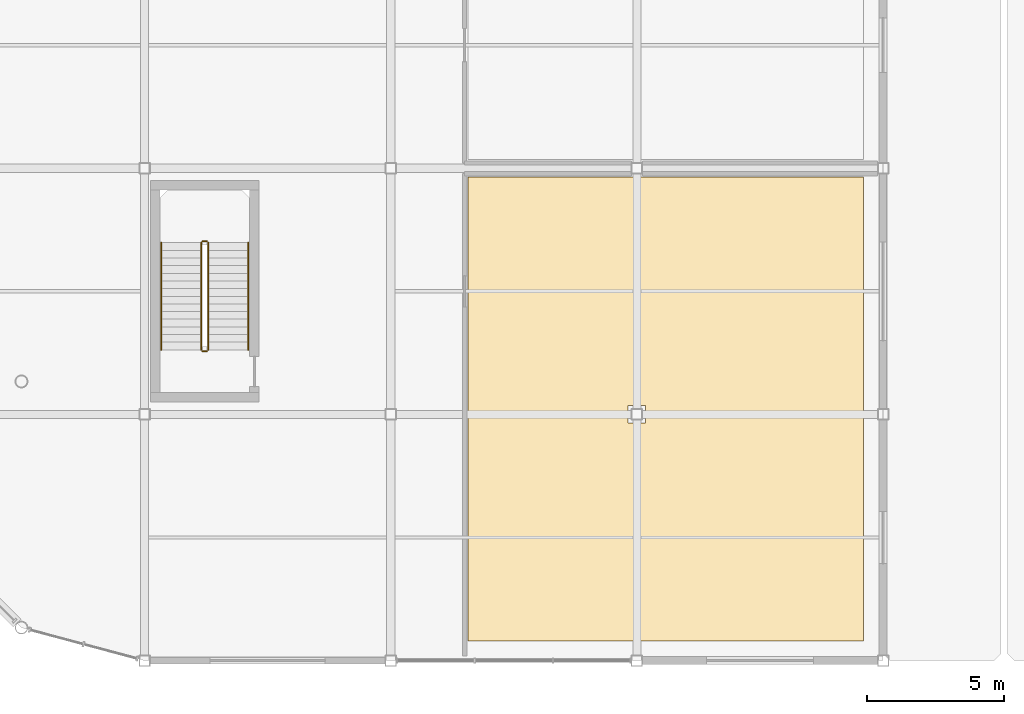
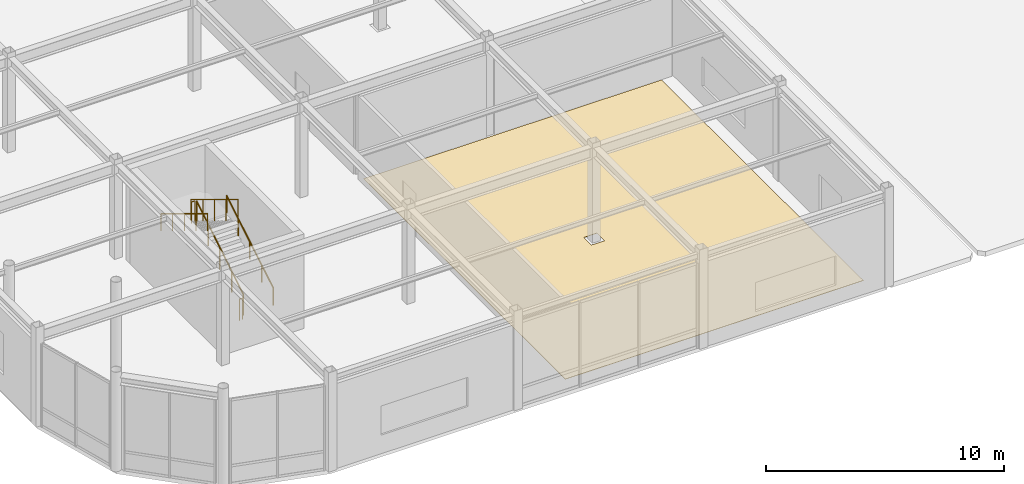
# One storey, part 106 of 123: 6 railings, 1 covering.
"""IFC4 building model written with IfcOpenShell, lengths in metres."""

from ifc_helpers import new_model, si_unit, direction, frame, origin, origin_2d, place, context, subcontext, project, spatial, polyline, circle, outline, extrude, material, layer, layer_set, type_object, element, save


model = new_model("IFC4")

# Units and contexts
model_context = context("Model", 3, precision=1e-05, world=origin(), true_north=direction((0.0, 1.0)))
body_context = subcontext(model_context, "Body", "Model", "MODEL_VIEW")
ifc_project = project(units=[si_unit("LENGTHUNIT", "METRE"), si_unit("AREAUNIT", "SQUARE_METRE"), si_unit("VOLUMEUNIT", "CUBIC_METRE"), si_unit("PLANEANGLEUNIT", "RADIAN"), si_unit("MASSUNIT", "GRAM", prefix="KILO")], contexts=[model_context])

# Site, building, storey
site_placement = place(None, origin())
site = spatial("IfcSite", under=ifc_project, at=site_placement, CompositionType="ELEMENT")
building_placement = place(site_placement, origin())
building = spatial("IfcBuilding", under=site, at=building_placement, Name="Suzunagisa Mobility Hub", CompositionType="ELEMENT")
storey_placement = place(building_placement, origin())
storey = spatial("IfcBuildingStorey", under=building, at=storey_placement, Name="L00", CompositionType="ELEMENT", Elevation=0.0)

# Railings
ifc_material_1 = material(Name="Stainless Steel SUS304", Category="metal")
railing_type_1 = type_object("IfcRailingType", Name="Interior Well Guardrail IGR-01", PredefinedType="GUARDRAIL", material=ifc_material_1)
railing_1_placement = place(storey_placement, frame((11.330078125, 11.360107421875, 0.169921875)))
element("IfcRailing", 1, at=railing_1_placement, inside=storey, type_object=railing_type_1, Name="L00 ST-02 stair guard 1", PredefinedType="GUARDRAIL", context=body_context, shape_type="SweptSolid", body=[
    extrude(circle(Radius=0.02392578125, at=origin_2d()), frame((0.0, 0.0, 1.09619140625), z_axis=(0.0, 0.854770645689, 0.519005918337), x_axis=(-1.0, 0.0, 0.0)), (0.0, 0.0, 1.0), 4.5859375),
    extrude(circle(Radius=0.02099609375, at=origin_2d()), origin(), (0.0, 0.0, 1.0), 1.072021484375),
    extrude(circle(Radius=0.02099609375, at=origin_2d()), frame((0.0, 0.97998046875, 0.594970703125)), (0.0, 0.0, 1.0), 1.072021484375),
    extrude(circle(Radius=0.02099609375, at=origin_2d()), frame((0.0, 1.9599609375, 1.18994140625)), (0.0, 0.0, 1.0), 1.072021484375),
    extrude(circle(Radius=0.02099609375, at=origin_2d()), frame((0.0, 2.93994140625, 1.78515625)), (0.0, 0.0, 1.0), 1.072021484375),
    extrude(circle(Radius=0.02099609375, at=origin_2d()), frame((0.0, 3.919921875, 2.380126953125)), (0.0, 0.0, 1.0), 1.072021484375),
])
railing_2_placement = place(storey_placement, frame((11.280029296875, 15.330078125, 2.550048828125)))
element("IfcRailing", 2, at=railing_2_placement, inside=storey, type_object=railing_type_1, Name="L00 ST-02 stair guard 2", PredefinedType="GUARDRAIL", context=body_context, shape_type="SweptSolid", body=[
    extrude(circle(Radius=0.02392578125, at=origin_2d()), frame((0.0, 0.0, 1.09619140625), z_axis=(-1.0, 0.0, 0.0), x_axis=(0.0, -1.0, 0.0)), (0.0, 0.0, 1.0), 0.159912109375),
    extrude(circle(Radius=0.02099609375, at=origin_2d()), origin(), (0.0, 0.0, 1.0), 1.072021484375),
    extrude(circle(Radius=0.02099609375, at=origin_2d()), frame((-0.159912109375, 0.0, 0.0)), (0.0, 0.0, 1.0), 1.072021484375),
])
railing_3_placement = place(storey_placement, frame((11.070068359375, 15.280029296875, 2.719970703125)))
element("IfcRailing", 3, at=railing_3_placement, inside=storey, type_object=railing_type_1, Name="L00 ST-02 stair guard 3", PredefinedType="GUARDRAIL", context=body_context, shape_type="SweptSolid", body=[
    extrude(circle(Radius=0.02392578125, at=origin_2d()), frame((0.0, 0.0, 1.09619140625), z_axis=(0.0, -0.854770645689, 0.519005918337), x_axis=(1.0, 0.0, 0.0)), (0.0, 0.0, 1.0), 4.5859375),
    extrude(circle(Radius=0.02099609375, at=origin_2d()), origin(), (0.0, 0.0, 1.0), 1.072021484375),
    extrude(circle(Radius=0.02099609375, at=origin_2d()), frame((0.0, -0.97998046875, 0.594970703125)), (0.0, 0.0, 1.0), 1.072021484375),
    extrude(circle(Radius=0.02099609375, at=origin_2d()), frame((0.0, -1.9599609375, 1.18994140625)), (0.0, 0.0, 1.0), 1.072021484375),
    extrude(circle(Radius=0.02099609375, at=origin_2d()), frame((0.0, -2.93994140625, 1.78515625)), (0.0, 0.0, 1.0), 1.072021484375),
    extrude(circle(Radius=0.02099609375, at=origin_2d()), frame((0.0, -3.919921875, 2.380126953125)), (0.0, 0.0, 1.0), 1.072021484375),
])
railing_4_placement = place(storey_placement, frame((11.280029296875, 11.31005859375, 0.0)))
element("IfcRailing", 4, at=railing_4_placement, inside=storey, type_object=railing_type_1, Name="L00 ST-02 stair guard 4", PredefinedType="GUARDRAIL", context=body_context, shape_type="SweptSolid", body=[
    extrude(circle(Radius=0.02392578125, at=origin_2d()), frame((0.0, 0.0, 1.09619140625), z_axis=(-1.0, 0.0, 0.0), x_axis=(0.0, -1.0, 0.0)), (0.0, 0.0, 1.0), 0.159912109375),
    extrude(circle(Radius=0.02099609375, at=origin_2d()), origin(), (0.0, 0.0, 1.0), 1.072021484375),
    extrude(circle(Radius=0.02099609375, at=origin_2d()), frame((-0.159912109375, 0.0, 0.0)), (0.0, 0.0, 1.0), 1.072021484375),
])

# Covering
ifc_material_2 = material(Name="Polished Aggregate Terrazzo Finish")
ifc_layer = layer(ifc_material_2, 0.02001953125)
ifc_layer_set = layer_set([ifc_layer], Name="Polished Aggregate Terrazzo Finish")
covering_type = type_object("IfcCoveringType", Name="Polished Terrazzo Heavy-Traffic Flooring FLR-01", PredefinedType="FLOORING", material=ifc_layer_set)
covering_placement = place(storey_placement, origin())
element("IfcCovering", 5, at=covering_placement, inside=storey, type_object=covering_type, Name="L00 Suzunagisa Streamline Prow Travel Cafe Terrazzo Flooring", PredefinedType="FLOORING", context=body_context, shape_type="SweptSolid", body=[
    extrude(outline(polyline([(20.820068359375, 17.679931640625), (26.679931640625, 17.679931640625), (27.320068359375, 17.679931640625), (35.280029296875, 17.679931640625), (35.280029296875, 0.719970703125), (20.820068359375, 0.719970703125), (20.820068359375, 17.679931640625)]), holes=[polyline([(27.320068359375, 9.320068359375), (26.679931640625, 9.320068359375), (26.679931640625, 8.679931640625), (27.320068359375, 8.679931640625), (27.320068359375, 9.320068359375)])]), origin(), (0.0, 0.0, 1.0), 0.02001953125),
])

# Railings
railing_type_2 = type_object("IfcRailingType", Name="Tubular Stainless Stair Handrail IHR-01", PredefinedType="HANDRAIL", material=ifc_material_1)
railing_5_placement = place(storey_placement, frame((12.7900390625, 11.360107421875, 0.169921875)))
element("IfcRailing", 6, at=railing_5_placement, inside=storey, type_object=railing_type_2, Name="L00 ST-02 stair handrail 1", PredefinedType="HANDRAIL", context=body_context, shape_type="SweptSolid", body=[
    extrude(circle(Radius=0.02392578125, at=origin_2d()), frame((0.0, 0.0, 0.8759765625), z_axis=(0.0, 0.854770645689, 0.519005918337), x_axis=(-1.0, 0.0, 0.0)), (0.0, 0.0, 1.0), 4.5859375),
    extrude(circle(Radius=0.02099609375, at=origin_2d()), origin(), (0.0, 0.0, 1.0), 0.851806640625),
    extrude(circle(Radius=0.02099609375, at=origin_2d()), frame((0.0, 0.97998046875, 0.594970703125)), (0.0, 0.0, 1.0), 0.851806640625),
    extrude(circle(Radius=0.02099609375, at=origin_2d()), frame((0.0, 1.9599609375, 1.18994140625)), (0.0, 0.0, 1.0), 0.851806640625),
    extrude(circle(Radius=0.02099609375, at=origin_2d()), frame((0.0, 2.93994140625, 1.78515625)), (0.0, 0.0, 1.0), 0.851806640625),
    extrude(circle(Radius=0.02099609375, at=origin_2d()), frame((0.0, 3.919921875, 2.380126953125)), (0.0, 0.0, 1.0), 0.851806640625),
])
railing_6_placement = place(storey_placement, frame((9.610107421875, 15.280029296875, 2.719970703125)))
element("IfcRailing", 7, at=railing_6_placement, inside=storey, type_object=railing_type_2, Name="L00 ST-02 stair handrail 2", PredefinedType="HANDRAIL", context=body_context, shape_type="SweptSolid", body=[
    extrude(circle(Radius=0.02392578125, at=origin_2d()), frame((0.0, 0.0, 0.8759765625), z_axis=(0.0, -0.854770645689, 0.519005918337), x_axis=(1.0, 0.0, 0.0)), (0.0, 0.0, 1.0), 4.5859375),
    extrude(circle(Radius=0.02099609375, at=origin_2d()), origin(), (0.0, 0.0, 1.0), 0.851806640625),
    extrude(circle(Radius=0.02099609375, at=origin_2d()), frame((0.0, -0.97998046875, 0.594970703125)), (0.0, 0.0, 1.0), 0.851806640625),
    extrude(circle(Radius=0.02099609375, at=origin_2d()), frame((0.0, -1.9599609375, 1.18994140625)), (0.0, 0.0, 1.0), 0.851806640625),
    extrude(circle(Radius=0.02099609375, at=origin_2d()), frame((0.0, -2.93994140625, 1.78515625)), (0.0, 0.0, 1.0), 0.851806640625),
    extrude(circle(Radius=0.02099609375, at=origin_2d()), frame((0.0, -3.919921875, 2.380126953125)), (0.0, 0.0, 1.0), 0.851806640625),
])

save(model, "model.ifc")
